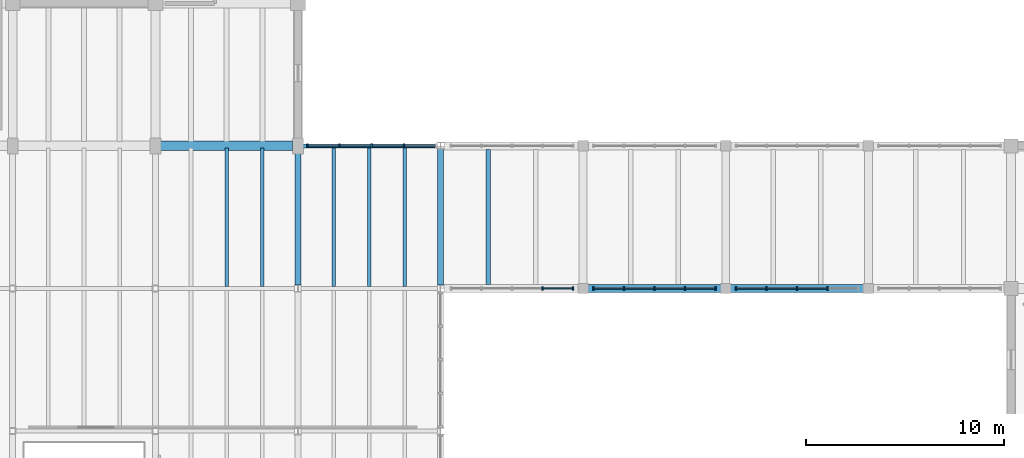
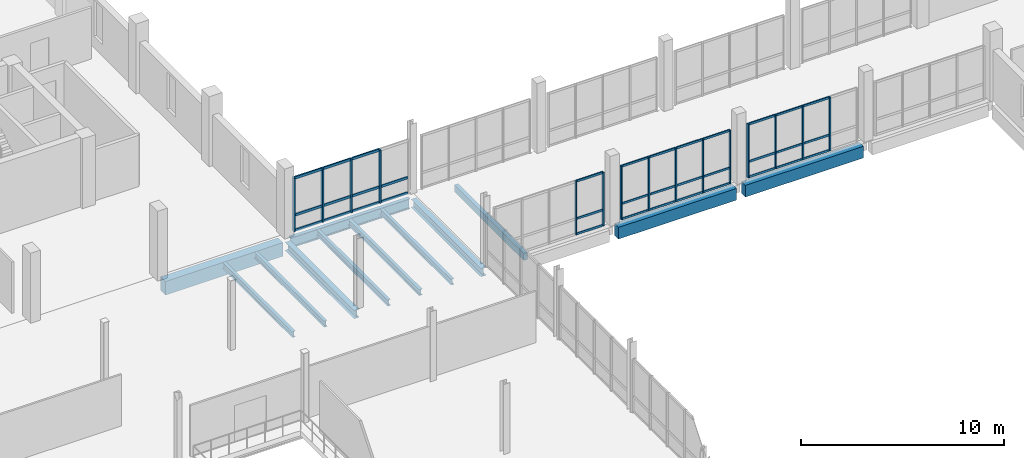
# One storey, part 34 of 72: 50 members, 12 beams, 4 elements without a shape of their own.
"""IFC4 building model written with IfcOpenShell, lengths in metres."""

import ifcopenshell
import ifcopenshell.guid

model = None  # the IFC model being written
_history = None  # IfcOwnerHistory: only IFC2X3 demands one
_inside = {}  # id of a spatial element -> (the spatial element, [elements in it])
_under = {}  # id of a project, library or spatial element -> (it, [spatial elements below it])
_declared = {}  # id of a project -> (the project, [libraries it declares])
_typed = {}  # id of a type object -> (the type object, [elements of that type])
_made_of = {}  # id of a material, layer set ... -> (it, [elements and type objects made of it])


def new_model(schema):
    """Start an empty IFC model of exactly this schema.

    Asked for "IFC4X3", IfcOpenShell would pick the latest addendum, in which some entities
    have other attributes; the version numbers below select the first issue.
    IFC2X3 requires an IfcOwnerHistory on every rooted entity: one is made here for all.
    """
    global model, _history
    if schema == "IFC4X3":
        model = ifcopenshell.file(schema_version=(4, 3, 0, 0))
    else:
        model = ifcopenshell.file(schema=schema)
    _inside.clear()
    _under.clear()
    _declared.clear()
    _typed.clear()
    _made_of.clear()
    _history = None
    if model.schema == "IFC2X3":
        org = make("IfcOrganization", Name="unknown")
        user = make(
            "IfcPersonAndOrganization",
            ThePerson=make("IfcPerson", FamilyName="unknown"),
            TheOrganization=org,
        )
        app = make(
            "IfcApplication",
            ApplicationDeveloper=org,
            Version="unknown",
            ApplicationFullName="unknown",
            ApplicationIdentifier="unknown",
        )
        _history = make(
            "IfcOwnerHistory",
            OwningUser=user,
            OwningApplication=app,
            ChangeAction="ADDED",
            CreationDate=0,
        )
    return model


def make(cls, **values):
    """One entity of the class cls with the attributes given. An attribute that is None is left unset."""
    return model.create_entity(
        cls, **{name: value for name, value in values.items() if value is not None}
    )


def rooted(cls, **values):
    """An entity with a GlobalId (a new one), such as an element, a storey or a relation."""
    return make(cls, GlobalId=ifcopenshell.guid.new(), OwnerHistory=_history, **values)


def si_unit(unit_type, name, prefix=None):
    """IfcSIUnit, for example si_unit("LENGTHUNIT", "METRE", prefix="MILLI")."""
    return make("IfcSIUnit", UnitType=unit_type, Prefix=prefix, Name=name)


def assignment(units):
    """IfcUnitAssignment: the units of a project."""
    return None if units is None else make("IfcUnitAssignment", Units=units)


def point(xyz):
    """IfcCartesianPoint."""
    return None if xyz is None else make("IfcCartesianPoint", Coordinates=xyz)


def direction(xyz):
    """IfcDirection."""
    return None if xyz is None else make("IfcDirection", DirectionRatios=xyz)


def frame(location, z_axis=None, x_axis=None):
    """IfcAxis2Placement3D, a coordinate frame: its origin and axes. An axis left out is left unset."""
    return make(
        "IfcAxis2Placement3D",
        Location=point(location),
        Axis=direction(z_axis),
        RefDirection=direction(x_axis),
    )


def frame_2d(location, x_axis=None):
    """IfcAxis2Placement2D, a coordinate frame in the plane: its origin and x axis."""
    return make(
        "IfcAxis2Placement2D", Location=point(location), RefDirection=direction(x_axis)
    )


def origin():
    """The frame at (0, 0, 0) with its axes left unset."""
    return frame((0.0, 0.0, 0.0))


def origin_2d():
    """The frame at (0, 0) in the plane with its x axis left unset."""
    return frame_2d((0.0, 0.0))


def place(relative_to, where):
    """IfcLocalPlacement: puts the frame where relative to a parent placement (None: the world)."""
    return make(
        "IfcLocalPlacement", PlacementRelTo=relative_to, RelativePlacement=where
    )


def context(
    kind, dimensions, precision=None, world=None, true_north=None, identifier=None
):
    """IfcGeometricRepresentationContext, for example the 3D "Model" context."""
    return make(
        "IfcGeometricRepresentationContext",
        ContextIdentifier=identifier,
        ContextType=kind,
        CoordinateSpaceDimension=dimensions,
        Precision=precision,
        WorldCoordinateSystem=world,
        TrueNorth=true_north,
    )


def subcontext(parent, identifier, kind, view, scale=None):
    """IfcGeometricRepresentationSubContext, for example "Body" below "Model"."""
    return make(
        "IfcGeometricRepresentationSubContext",
        ContextIdentifier=identifier,
        ContextType=kind,
        ParentContext=parent,
        TargetScale=scale,
        TargetView=view,
    )


def project(units=None, contexts=None):
    """IfcProject with its units and contexts."""
    return rooted(
        "IfcProject",
        Name="project",
        RepresentationContexts=contexts,
        UnitsInContext=assignment(units),
    )


def spatial(cls, under=None, at=None, **own):
    """A site, building, storey or space (cls), placed at a placement, below another one or the project."""
    s = rooted(cls, ObjectPlacement=at, **own)
    if under is not None:
        _under.setdefault(under.id(), (under, []))[1].append(s)
    return s


def profile(cls, at=None, kind="AREA", **sizes):
    """A parametric profile (cls). Its sizes go by their IFC names, for example OverallWidth=200.0."""
    return make(cls, ProfileType=kind, Position=at, **sizes)


def rectangle(**sizes):
    """IfcRectangleProfileDef."""
    return profile("IfcRectangleProfileDef", **sizes)


def i_section(**sizes):
    """IfcIShapeProfileDef."""
    return profile("IfcIShapeProfileDef", **sizes)


def extrude(swept, where, along, depth):
    """IfcExtrudedAreaSolid: the profile swept, set in the frame where, extruded along a direction by depth."""
    return make(
        "IfcExtrudedAreaSolid",
        SweptArea=swept,
        Position=where,
        ExtrudedDirection=direction(along),
        Depth=depth,
    )


def shape(context_of_items, identifier, shape_type, items):
    """IfcShapeRepresentation: the items that make up one representation, for example the "Body"."""
    return make(
        "IfcShapeRepresentation",
        ContextOfItems=context_of_items,
        RepresentationIdentifier=identifier,
        RepresentationType=shape_type,
        Items=items,
    )


def material(Name=None, Category=None):
    """IfcMaterial."""
    return make("IfcMaterial", Name=Name, Category=Category)


def material_profile(
    of_material, cross_section, Name=None, Category=None, Priority=None
):
    """IfcMaterialProfile: a cross section and its material."""
    return make(
        "IfcMaterialProfile",
        Name=Name,
        Material=of_material,
        Profile=cross_section,
        Priority=Priority,
        Category=Category,
    )


def profile_set(profiles, Name=None, composite=None):
    """IfcMaterialProfileSet."""
    return make(
        "IfcMaterialProfileSet",
        Name=Name,
        MaterialProfiles=profiles,
        CompositeProfile=composite,
    )


def made_of(thing, what):
    """Note that an element or type object is made of a material, layer set ...; save() writes the relation."""
    if what is not None:
        _made_of.setdefault(what.id(), (what, []))[1].append(thing)
    return thing


def type_object(cls, material=None, **own):
    """A type object (cls), such as IfcWallType, which elements share."""
    return made_of(rooted(cls, **own), material)


def element(
    cls,
    number,
    at=None,
    inside=None,
    cuts=None,
    type_object=None,
    material=None,
    context=None,
    identifier="Body",
    shape_type=None,
    held_by="IfcProductDefinitionShape",
    body=None,
    shapes=None,
    **own,
):
    """One element of the class cls, such as IfcWall. Its Tag is "e" and its number.

    at: its placement. inside: the storey or other place that contains it. cuts: it is an
    opening in that element (IfcRelVoidsElement). A single representation is given by context,
    identifier, shape_type and body (its items); several are given by shapes. held_by: the class
    of the entity that holds the representations. save() writes the other relations.
    """
    e = rooted(cls, Tag="e%d" % number, ObjectPlacement=at, **own)
    if body is not None:
        shapes = [shape(context, identifier, shape_type, body)]
    if shapes is not None:
        e.Representation = make(held_by, Representations=shapes)
    if inside is not None:
        _inside.setdefault(inside.id(), (inside, []))[1].append(e)
    if cuts is not None:
        rooted(
            "IfcRelVoidsElement", RelatingBuildingElement=cuts, RelatedOpeningElement=e
        )
    if type_object is not None:
        _typed.setdefault(type_object.id(), (type_object, []))[1].append(e)
    return made_of(e, material)


def aggregate(whole, parts):
    """IfcRelAggregates: a whole, such as a stair, and the parts it consists of."""
    return rooted("IfcRelAggregates", RelatingObject=whole, RelatedObjects=parts)


def save(model, path):
    """Write the relations noted so far, then the file.

    IfcRelAggregates (storeys below a building ...), IfcRelContainedInSpatialStructure (elements
    in a storey), IfcRelDefinesByType, IfcRelAssociatesMaterial and IfcRelDeclares: one each for
    every whole, place, type object, material and project.
    """
    for whole, parts in _under.values():
        aggregate(whole, parts)
    for where, things in _inside.values():
        rooted(
            "IfcRelContainedInSpatialStructure",
            RelatedElements=things,
            RelatingStructure=where,
        )
    for kind, things in _typed.values():
        rooted("IfcRelDefinesByType", RelatedObjects=things, RelatingType=kind)
    for what, things in _made_of.values():
        rooted("IfcRelAssociatesMaterial", RelatedObjects=things, RelatingMaterial=what)
    for by, libraries in _declared.values():
        rooted("IfcRelDeclares", RelatingContext=by, RelatedDefinitions=libraries)
    model.write(path)


model = new_model("IFC4")

# Units and contexts
model_context = context("Model", 3, precision=1e-05, world=origin(), true_north=direction((0.0, 1.0)))
body_context = subcontext(model_context, "Body", "Model", "MODEL_VIEW")
ifc_project = project(units=[si_unit("LENGTHUNIT", "METRE"), si_unit("AREAUNIT", "SQUARE_METRE"), si_unit("VOLUMEUNIT", "CUBIC_METRE"), si_unit("PLANEANGLEUNIT", "RADIAN"), si_unit("MASSUNIT", "GRAM", prefix="KILO")], contexts=[model_context])

# Site, building, storey
site_placement = place(None, origin())
site = spatial("IfcSite", under=ifc_project, at=site_placement, CompositionType="ELEMENT")
building_placement = place(site_placement, origin())
building = spatial("IfcBuilding", under=site, at=building_placement, Name="Qiaolan Assembly House", CompositionType="ELEMENT")
storey_placement = place(building_placement, frame((0.0, 0.0, 10.199951171875)))
storey = spatial("IfcBuildingStorey", under=building, at=storey_placement, Name="L02", CompositionType="ELEMENT", Elevation=10.199951171875)

# Beams
ifc_material_1 = material(Name="Concrete C40/50", Category="concrete")
ifc_material_profile_1 = material_profile(ifc_material_1, rectangle(XDim=0.39990234375, YDim=0.699951171875, at=origin_2d()), Name="RCB 400x700")
ifc_profile_set_1 = profile_set([ifc_material_profile_1], Name="Concrete C40/50")
beam_type_1 = type_object("IfcBeamType", Name="BM-RC-400x700", PredefinedType="BEAM", material=ifc_profile_set_1)
beam_1_placement = place(storey_placement, frame((115.449951171875, 79.199951171875, -0.619873046875), z_axis=(1.0, 0.0, 0.0), x_axis=(0.0, 1.0, 0.0)))
element("IfcBeam", 1, at=beam_1_placement, inside=storey, type_object=beam_type_1, Name="GB-05 beam BMX-CLN-L02-01-00", PredefinedType="BEAM", context=body_context, shape_type="SweptSolid", body=[
    extrude(rectangle(XDim=0.39990234375, YDim=0.699951171875, at=origin_2d()), origin(), (0.0, 0.0, 1.0), 6.699951171875),
])
beam_2_placement = place(storey_placement, frame((122.64990234375, 79.199951171875, -0.619873046875), z_axis=(1.0, 0.0, 0.0), x_axis=(0.0, 1.0, 0.0)))
element("IfcBeam", 2, at=beam_2_placement, inside=storey, type_object=beam_type_1, Name="GB-05 beam BMX-CLN-L02-02-00", PredefinedType="BEAM", context=body_context, shape_type="SweptSolid", body=[
    extrude(rectangle(XDim=0.39990234375, YDim=0.699951171875, at=origin_2d()), origin(), (0.0, 0.0, 1.0), 6.7001953125),
])
ifc_material_2 = material(Name="Concrete C45/55", Category="concrete")
ifc_material_profile_2 = material_profile(ifc_material_2, rectangle(XDim=0.47998046875, YDim=0.820068359375, at=origin_2d()), Name="RCB 480x820")
ifc_profile_set_2 = profile_set([ifc_material_profile_2], Name="Concrete C45/55")
beam_type_2 = type_object("IfcBeamType", Name="BM-RC-480x820", PredefinedType="BEAM", material=ifc_profile_set_2)
beam_3_placement = place(storey_placement, frame((93.864990234375, 86.39990234375, -0.7099609375), z_axis=(1.0, 0.0, 0.0), x_axis=(0.0, 1.0, 0.0)))
element("IfcBeam", 3, at=beam_3_placement, inside=storey, type_object=beam_type_2, Name="GB-14 beam BMX-NW-L02-08-00", PredefinedType="BEAM", context=body_context, shape_type="SweptSolid", body=[
    extrude(rectangle(XDim=0.47998046875, YDim=0.820068359375, at=origin_2d()), origin(), (0.0, 0.0, 1.0), 6.669921875),
])
ifc_material_3 = material(Name="Steel Q355B", Category="steel")
ifc_material_profile_3 = material_profile(ifc_material_3, i_section(OverallWidth=0.300048828125, OverallDepth=0.5, WebThickness=0.010986328125, FlangeThickness=0.01806640625, FilletRadius=0.02001953125, at=origin_2d()), Name="HM 500x300x11x18")
ifc_profile_set_3 = profile_set([ifc_material_profile_3], Name="Steel Q355B")
beam_type_3 = type_object("IfcBeamType", Name="BM-STL-HM500", PredefinedType="BEAM", material=ifc_profile_set_3)
beam_4_placement = place(storey_placement, frame((100.800048828125, 79.364990234375, -0.550048828125), z_axis=(0.0, 1.0, 0.0), x_axis=(-1.0, 0.0, 0.0)))
element("IfcBeam", 4, at=beam_4_placement, inside=storey, type_object=beam_type_3, Name="SB-15 beam BMY-HL-L02-11-06", PredefinedType="BEAM", context=body_context, shape_type="SweptSolid", body=[
    extrude(i_section(OverallWidth=0.300048828125, OverallDepth=0.5, WebThickness=0.010986328125, FlangeThickness=0.01806640625, FilletRadius=0.02001953125, at=origin_2d()), origin(), (0.0, 0.0, 1.0), 6.77001953125),
])
beam_5_placement = place(storey_placement, frame((108.0, 79.364990234375, -0.550048828125), z_axis=(0.0, 1.0, 0.0), x_axis=(-1.0, 0.0, 0.0)))
element("IfcBeam", 5, at=beam_5_placement, inside=storey, type_object=beam_type_3, Name="SB-15 beam BMY-HL-L02-12-06", PredefinedType="BEAM", context=body_context, shape_type="SweptSolid", body=[
    extrude(i_section(OverallWidth=0.300048828125, OverallDepth=0.5, WebThickness=0.010986328125, FlangeThickness=0.01806640625, FilletRadius=0.02001953125, at=origin_2d()), origin(), (0.0, 0.0, 1.0), 6.8701171875),
])
ifc_material_profile_4 = material_profile(ifc_material_3, i_section(OverallWidth=0.2099609375, OverallDepth=0.610107421875, WebThickness=0.010986328125, FlangeThickness=0.01806640625, FilletRadius=0.02001953125, at=origin_2d()), Name="HN 610x210x11x18")
ifc_profile_set_4 = profile_set([ifc_material_profile_4], Name="Steel Q355B")
beam_type_4 = type_object("IfcBeamType", Name="BM-STL-HN610", PredefinedType="BEAM", material=ifc_profile_set_4)
beam_6_placement = place(storey_placement, frame((101.06494140625, 86.39990234375, -0.60498046875), z_axis=(1.0, 0.0, 0.0), x_axis=(0.0, 1.0, 0.0)))
element("IfcBeam", 6, at=beam_6_placement, inside=storey, type_object=beam_type_4, Name="SB-11 beam BMX-HL-L02-11-07", PredefinedType="BEAM", context=body_context, shape_type="SweptSolid", body=[
    extrude(i_section(OverallWidth=0.2099609375, OverallDepth=0.610107421875, WebThickness=0.010986328125, FlangeThickness=0.01806640625, FilletRadius=0.02001953125, at=origin_2d()), origin(), (0.0, 0.0, 1.0), 6.77001953125),
])

# Curtain wall, members
ifc_material_4 = material(Name="Anodised bronze aluminium", Category="aluminium")
curtain_wall_type_1 = type_object("IfcCurtainWallType", Name="CW-CLOISTER-420", PredefinedType="NOTDEFINED", material=ifc_material_4)
curtain_wall_1_placement = place(storey_placement, origin())
curtain_wall_1 = element("IfcCurtainWall", 7, at=curtain_wall_1_placement, inside=storey, type_object=curtain_wall_type_1, Name="CW-05 North Cloister court arcade L02-1", PredefinedType="NOTDEFINED")
ifc_material_profile_5 = material_profile(ifc_material_4, rectangle(XDim=0.070068359375, YDim=0.155029296875, at=origin_2d()), Name="MUL 70x155")
ifc_profile_set_5 = profile_set([ifc_material_profile_5], Name="Anodised bronze aluminium")
member_type_1 = type_object("IfcMemberType", Name="CW-CLOISTER-420-MUL", PredefinedType="MULLION", material=ifc_profile_set_5)
member_1_placement = place(storey_placement, frame((113.139892578125, 79.199951171875, 0.0), z_axis=(0.0, 0.0, 1.0), x_axis=(1.0, 0.0, 0.0)))
member_1 = element("IfcMember", 8, at=member_1_placement, type_object=member_type_1, Name="ML-06 mullion CW-CLN-CRT-L02-0-4", PredefinedType="MULLION", context=body_context, shape_type="SweptSolid", body=[
    extrude(rectangle(XDim=0.070068359375, YDim=0.155029296875, at=origin_2d()), origin(), (0.0, 0.0, 1.0), 3.219970703125),
])
member_2_placement = place(storey_placement, frame((114.679931640625, 79.199951171875, 0.0), z_axis=(0.0, 0.0, 1.0), x_axis=(1.0, 0.0, 0.0)))
member_2 = element("IfcMember", 9, at=member_2_placement, type_object=member_type_1, Name="ML-06 mullion CW-CLN-CRT-L02-0-5", PredefinedType="MULLION", context=body_context, shape_type="SweptSolid", body=[
    extrude(rectangle(XDim=0.070068359375, YDim=0.155029296875, at=origin_2d()), origin(), (0.0, 0.0, 1.0), 3.219970703125),
])

curtain_wall_2_placement = place(storey_placement, origin())
curtain_wall_2 = element("IfcCurtainWall", 10, at=curtain_wall_2_placement, inside=storey, type_object=curtain_wall_type_1, Name="CW-05 North Cloister court arcade L02-2", PredefinedType="NOTDEFINED")
member_3_placement = place(storey_placement, frame((115.719970703125, 79.199951171875, 0.0), z_axis=(0.0, 0.0, 1.0), x_axis=(1.0, 0.0, 0.0)))
member_3 = element("IfcMember", 11, at=member_3_placement, type_object=member_type_1, Name="ML-06 mullion CW-CLN-CRT-L02-1-1", PredefinedType="MULLION", context=body_context, shape_type="SweptSolid", body=[
    extrude(rectangle(XDim=0.070068359375, YDim=0.155029296875, at=origin_2d()), origin(), (0.0, 0.0, 1.0), 3.219970703125),
])
member_4_placement = place(storey_placement, frame((117.260009765625, 79.199951171875, 0.0), z_axis=(0.0, 0.0, 1.0), x_axis=(1.0, 0.0, 0.0)))
member_4 = element("IfcMember", 12, at=member_4_placement, type_object=member_type_1, Name="ML-06 mullion CW-CLN-CRT-L02-1-2", PredefinedType="MULLION", context=body_context, shape_type="SweptSolid", body=[
    extrude(rectangle(XDim=0.070068359375, YDim=0.155029296875, at=origin_2d()), origin(), (0.0, 0.0, 1.0), 3.219970703125),
])
member_5_placement = place(storey_placement, frame((118.800048828125, 79.199951171875, 0.0), z_axis=(0.0, 0.0, 1.0), x_axis=(1.0, 0.0, 0.0)))
member_5 = element("IfcMember", 13, at=member_5_placement, type_object=member_type_1, Name="ML-06 mullion CW-CLN-CRT-L02-1-3", PredefinedType="MULLION", context=body_context, shape_type="SweptSolid", body=[
    extrude(rectangle(XDim=0.070068359375, YDim=0.155029296875, at=origin_2d()), origin(), (0.0, 0.0, 1.0), 3.219970703125),
])
member_6_placement = place(storey_placement, frame((120.340087890625, 79.199951171875, 0.0), z_axis=(0.0, 0.0, 1.0), x_axis=(1.0, 0.0, 0.0)))
member_6 = element("IfcMember", 14, at=member_6_placement, type_object=member_type_1, Name="ML-06 mullion CW-CLN-CRT-L02-1-4", PredefinedType="MULLION", context=body_context, shape_type="SweptSolid", body=[
    extrude(rectangle(XDim=0.070068359375, YDim=0.155029296875, at=origin_2d()), origin(), (0.0, 0.0, 1.0), 3.219970703125),
])
member_7_placement = place(storey_placement, frame((121.8798828125, 79.199951171875, 0.0), z_axis=(0.0, 0.0, 1.0), x_axis=(1.0, 0.0, 0.0)))
member_7 = element("IfcMember", 15, at=member_7_placement, type_object=member_type_1, Name="ML-06 mullion CW-CLN-CRT-L02-1-5", PredefinedType="MULLION", context=body_context, shape_type="SweptSolid", body=[
    extrude(rectangle(XDim=0.070068359375, YDim=0.155029296875, at=origin_2d()), origin(), (0.0, 0.0, 1.0), 3.219970703125),
])

curtain_wall_3_placement = place(storey_placement, origin())
curtain_wall_3 = element("IfcCurtainWall", 16, at=curtain_wall_3_placement, inside=storey, type_object=curtain_wall_type_1, Name="CW-05 North Cloister court arcade L02-3", PredefinedType="NOTDEFINED")
member_8_placement = place(storey_placement, frame((122.919921875, 79.199951171875, 0.0), z_axis=(0.0, 0.0, 1.0), x_axis=(1.0, 0.0, 0.0)))
member_8 = element("IfcMember", 17, at=member_8_placement, type_object=member_type_1, Name="ML-06 mullion CW-CLN-CRT-L02-2-1", PredefinedType="MULLION", context=body_context, shape_type="SweptSolid", body=[
    extrude(rectangle(XDim=0.070068359375, YDim=0.155029296875, at=origin_2d()), origin(), (0.0, 0.0, 1.0), 3.219970703125),
])
member_9_placement = place(storey_placement, frame((124.4599609375, 79.199951171875, 0.0), z_axis=(0.0, 0.0, 1.0), x_axis=(1.0, 0.0, 0.0)))
member_9 = element("IfcMember", 18, at=member_9_placement, type_object=member_type_1, Name="ML-06 mullion CW-CLN-CRT-L02-2-2", PredefinedType="MULLION", context=body_context, shape_type="SweptSolid", body=[
    extrude(rectangle(XDim=0.070068359375, YDim=0.155029296875, at=origin_2d()), origin(), (0.0, 0.0, 1.0), 3.219970703125),
])
member_10_placement = place(storey_placement, frame((126.0, 79.199951171875, 0.0), z_axis=(0.0, 0.0, 1.0), x_axis=(1.0, 0.0, 0.0)))
member_10 = element("IfcMember", 19, at=member_10_placement, type_object=member_type_1, Name="ML-06 mullion CW-CLN-CRT-L02-2-3", PredefinedType="MULLION", context=body_context, shape_type="SweptSolid", body=[
    extrude(rectangle(XDim=0.070068359375, YDim=0.155029296875, at=origin_2d()), origin(), (0.0, 0.0, 1.0), 3.219970703125),
])
member_11_placement = place(storey_placement, frame((127.5400390625, 79.199951171875, 0.0), z_axis=(0.0, 0.0, 1.0), x_axis=(1.0, 0.0, 0.0)))
member_11 = element("IfcMember", 20, at=member_11_placement, type_object=member_type_1, Name="ML-06 mullion CW-CLN-CRT-L02-2-4", PredefinedType="MULLION", context=body_context, shape_type="SweptSolid", body=[
    extrude(rectangle(XDim=0.070068359375, YDim=0.155029296875, at=origin_2d()), origin(), (0.0, 0.0, 1.0), 3.219970703125),
])

# Member
ifc_material_profile_6 = material_profile(ifc_material_4, rectangle(XDim=0.06201171875, YDim=0.125, at=origin_2d()), Name="TRN 62x125")
ifc_profile_set_6 = profile_set([ifc_material_profile_6], Name="Anodised bronze aluminium")
member_type_2 = type_object("IfcMemberType", Name="CW-CLOISTER-420-TRN", PredefinedType="USERDEFINED", material=ifc_profile_set_6)
member_12_placement = place(storey_placement, frame((113.175048828125, 79.199951171875, 0.030029296875), z_axis=(1.0, 0.0, 0.0), x_axis=(0.0, 1.0, 0.0)))
member_12 = element("IfcMember", 21, at=member_12_placement, type_object=member_type_2, Name="TR-06 transom CW-CLN-CRT-L02-0-4-1", ObjectType="TRANSOM", PredefinedType="USERDEFINED", context=body_context, shape_type="SweptSolid", body=[
    extrude(rectangle(XDim=0.06201171875, YDim=0.125, at=origin_2d()), origin(), (0.0, 0.0, 1.0), 1.469970703125),
])

member_13_placement = place(storey_placement, frame((113.175048828125, 79.199951171875, 0.949951171875), z_axis=(1.0, 0.0, 0.0), x_axis=(0.0, 1.0, 0.0)))
member_13 = element("IfcMember", 22, at=member_13_placement, type_object=member_type_2, Name="TR-06 transom CW-CLN-CRT-L02-0-4-2", ObjectType="TRANSOM", PredefinedType="USERDEFINED", context=body_context, shape_type="SweptSolid", body=[
    extrude(rectangle(XDim=0.06201171875, YDim=0.125, at=origin_2d()), origin(), (0.0, 0.0, 1.0), 1.469970703125),
])

member_14_placement = place(storey_placement, frame((113.175048828125, 79.199951171875, 3.18994140625), z_axis=(1.0, 0.0, 0.0), x_axis=(0.0, 1.0, 0.0)))
member_14 = element("IfcMember", 23, at=member_14_placement, type_object=member_type_2, Name="TR-06 transom CW-CLN-CRT-L02-0-4-3", ObjectType="TRANSOM", PredefinedType="USERDEFINED", context=body_context, shape_type="SweptSolid", body=[
    extrude(rectangle(XDim=0.06201171875, YDim=0.125, at=origin_2d()), origin(), (0.0, 0.0, 1.0), 1.469970703125),
])

aggregate(curtain_wall_1, [member_1, member_2, member_12, member_13, member_14])

member_15_placement = place(storey_placement, frame((115.7548828125, 79.199951171875, 0.030029296875), z_axis=(1.0, 0.0, 0.0), x_axis=(0.0, 1.0, 0.0)))
member_15 = element("IfcMember", 24, at=member_15_placement, type_object=member_type_2, Name="TR-06 transom CW-CLN-CRT-L02-1-1-1", ObjectType="TRANSOM", PredefinedType="USERDEFINED", context=body_context, shape_type="SweptSolid", body=[
    extrude(rectangle(XDim=0.06201171875, YDim=0.125, at=origin_2d()), origin(), (0.0, 0.0, 1.0), 1.47021484375),
])

member_16_placement = place(storey_placement, frame((115.7548828125, 79.199951171875, 0.949951171875), z_axis=(1.0, 0.0, 0.0), x_axis=(0.0, 1.0, 0.0)))
member_16 = element("IfcMember", 25, at=member_16_placement, type_object=member_type_2, Name="TR-06 transom CW-CLN-CRT-L02-1-1-2", ObjectType="TRANSOM", PredefinedType="USERDEFINED", context=body_context, shape_type="SweptSolid", body=[
    extrude(rectangle(XDim=0.06201171875, YDim=0.125, at=origin_2d()), origin(), (0.0, 0.0, 1.0), 1.47021484375),
])

member_17_placement = place(storey_placement, frame((115.7548828125, 79.199951171875, 3.18994140625), z_axis=(1.0, 0.0, 0.0), x_axis=(0.0, 1.0, 0.0)))
member_17 = element("IfcMember", 26, at=member_17_placement, type_object=member_type_2, Name="TR-06 transom CW-CLN-CRT-L02-1-1-3", ObjectType="TRANSOM", PredefinedType="USERDEFINED", context=body_context, shape_type="SweptSolid", body=[
    extrude(rectangle(XDim=0.06201171875, YDim=0.125, at=origin_2d()), origin(), (0.0, 0.0, 1.0), 1.47021484375),
])

member_18_placement = place(storey_placement, frame((117.294921875, 79.199951171875, 0.030029296875), z_axis=(1.0, 0.0, 0.0), x_axis=(0.0, 1.0, 0.0)))
member_18 = element("IfcMember", 27, at=member_18_placement, type_object=member_type_2, Name="TR-06 transom CW-CLN-CRT-L02-1-2-1", ObjectType="TRANSOM", PredefinedType="USERDEFINED", context=body_context, shape_type="SweptSolid", body=[
    extrude(rectangle(XDim=0.06201171875, YDim=0.125, at=origin_2d()), origin(), (0.0, 0.0, 1.0), 1.469970703125),
])

member_19_placement = place(storey_placement, frame((117.294921875, 79.199951171875, 0.949951171875), z_axis=(1.0, 0.0, 0.0), x_axis=(0.0, 1.0, 0.0)))
member_19 = element("IfcMember", 28, at=member_19_placement, type_object=member_type_2, Name="TR-06 transom CW-CLN-CRT-L02-1-2-2", ObjectType="TRANSOM", PredefinedType="USERDEFINED", context=body_context, shape_type="SweptSolid", body=[
    extrude(rectangle(XDim=0.06201171875, YDim=0.125, at=origin_2d()), origin(), (0.0, 0.0, 1.0), 1.469970703125),
])

member_20_placement = place(storey_placement, frame((117.294921875, 79.199951171875, 3.18994140625), z_axis=(1.0, 0.0, 0.0), x_axis=(0.0, 1.0, 0.0)))
member_20 = element("IfcMember", 29, at=member_20_placement, type_object=member_type_2, Name="TR-06 transom CW-CLN-CRT-L02-1-2-3", ObjectType="TRANSOM", PredefinedType="USERDEFINED", context=body_context, shape_type="SweptSolid", body=[
    extrude(rectangle(XDim=0.06201171875, YDim=0.125, at=origin_2d()), origin(), (0.0, 0.0, 1.0), 1.469970703125),
])

member_21_placement = place(storey_placement, frame((118.8349609375, 79.199951171875, 0.030029296875), z_axis=(1.0, 0.0, 0.0), x_axis=(0.0, 1.0, 0.0)))
member_21 = element("IfcMember", 30, at=member_21_placement, type_object=member_type_2, Name="TR-06 transom CW-CLN-CRT-L02-1-3-1", ObjectType="TRANSOM", PredefinedType="USERDEFINED", context=body_context, shape_type="SweptSolid", body=[
    extrude(rectangle(XDim=0.06201171875, YDim=0.125, at=origin_2d()), origin(), (0.0, 0.0, 1.0), 1.469970703125),
])

member_22_placement = place(storey_placement, frame((118.8349609375, 79.199951171875, 0.949951171875), z_axis=(1.0, 0.0, 0.0), x_axis=(0.0, 1.0, 0.0)))
member_22 = element("IfcMember", 31, at=member_22_placement, type_object=member_type_2, Name="TR-06 transom CW-CLN-CRT-L02-1-3-2", ObjectType="TRANSOM", PredefinedType="USERDEFINED", context=body_context, shape_type="SweptSolid", body=[
    extrude(rectangle(XDim=0.06201171875, YDim=0.125, at=origin_2d()), origin(), (0.0, 0.0, 1.0), 1.469970703125),
])

member_23_placement = place(storey_placement, frame((118.8349609375, 79.199951171875, 3.18994140625), z_axis=(1.0, 0.0, 0.0), x_axis=(0.0, 1.0, 0.0)))
member_23 = element("IfcMember", 32, at=member_23_placement, type_object=member_type_2, Name="TR-06 transom CW-CLN-CRT-L02-1-3-3", ObjectType="TRANSOM", PredefinedType="USERDEFINED", context=body_context, shape_type="SweptSolid", body=[
    extrude(rectangle(XDim=0.06201171875, YDim=0.125, at=origin_2d()), origin(), (0.0, 0.0, 1.0), 1.469970703125),
])

member_24_placement = place(storey_placement, frame((120.375, 79.199951171875, 0.030029296875), z_axis=(1.0, 0.0, 0.0), x_axis=(0.0, 1.0, 0.0)))
member_24 = element("IfcMember", 33, at=member_24_placement, type_object=member_type_2, Name="TR-06 transom CW-CLN-CRT-L02-1-4-1", ObjectType="TRANSOM", PredefinedType="USERDEFINED", context=body_context, shape_type="SweptSolid", body=[
    extrude(rectangle(XDim=0.06201171875, YDim=0.125, at=origin_2d()), origin(), (0.0, 0.0, 1.0), 1.469970703125),
])

member_25_placement = place(storey_placement, frame((120.375, 79.199951171875, 0.949951171875), z_axis=(1.0, 0.0, 0.0), x_axis=(0.0, 1.0, 0.0)))
member_25 = element("IfcMember", 34, at=member_25_placement, type_object=member_type_2, Name="TR-06 transom CW-CLN-CRT-L02-1-4-2", ObjectType="TRANSOM", PredefinedType="USERDEFINED", context=body_context, shape_type="SweptSolid", body=[
    extrude(rectangle(XDim=0.06201171875, YDim=0.125, at=origin_2d()), origin(), (0.0, 0.0, 1.0), 1.469970703125),
])

member_26_placement = place(storey_placement, frame((120.375, 79.199951171875, 3.18994140625), z_axis=(1.0, 0.0, 0.0), x_axis=(0.0, 1.0, 0.0)))
member_26 = element("IfcMember", 35, at=member_26_placement, type_object=member_type_2, Name="TR-06 transom CW-CLN-CRT-L02-1-4-3", ObjectType="TRANSOM", PredefinedType="USERDEFINED", context=body_context, shape_type="SweptSolid", body=[
    extrude(rectangle(XDim=0.06201171875, YDim=0.125, at=origin_2d()), origin(), (0.0, 0.0, 1.0), 1.469970703125),
])

aggregate(curtain_wall_2, [member_3, member_4, member_5, member_6, member_7, member_15, member_16, member_17, member_18, member_19, member_20, member_21, member_22, member_23, member_24, member_25, member_26])

member_27_placement = place(storey_placement, frame((122.955078125, 79.199951171875, 0.030029296875), z_axis=(1.0, 0.0, 0.0), x_axis=(0.0, 1.0, 0.0)))
member_27 = element("IfcMember", 36, at=member_27_placement, type_object=member_type_2, Name="TR-06 transom CW-CLN-CRT-L02-2-1-1", ObjectType="TRANSOM", PredefinedType="USERDEFINED", context=body_context, shape_type="SweptSolid", body=[
    extrude(rectangle(XDim=0.06201171875, YDim=0.125, at=origin_2d()), origin(), (0.0, 0.0, 1.0), 1.469970703125),
])

member_28_placement = place(storey_placement, frame((122.955078125, 79.199951171875, 0.949951171875), z_axis=(1.0, 0.0, 0.0), x_axis=(0.0, 1.0, 0.0)))
member_28 = element("IfcMember", 37, at=member_28_placement, type_object=member_type_2, Name="TR-06 transom CW-CLN-CRT-L02-2-1-2", ObjectType="TRANSOM", PredefinedType="USERDEFINED", context=body_context, shape_type="SweptSolid", body=[
    extrude(rectangle(XDim=0.06201171875, YDim=0.125, at=origin_2d()), origin(), (0.0, 0.0, 1.0), 1.469970703125),
])

member_29_placement = place(storey_placement, frame((122.955078125, 79.199951171875, 3.18994140625), z_axis=(1.0, 0.0, 0.0), x_axis=(0.0, 1.0, 0.0)))
member_29 = element("IfcMember", 38, at=member_29_placement, type_object=member_type_2, Name="TR-06 transom CW-CLN-CRT-L02-2-1-3", ObjectType="TRANSOM", PredefinedType="USERDEFINED", context=body_context, shape_type="SweptSolid", body=[
    extrude(rectangle(XDim=0.06201171875, YDim=0.125, at=origin_2d()), origin(), (0.0, 0.0, 1.0), 1.469970703125),
])

member_30_placement = place(storey_placement, frame((124.4951171875, 79.199951171875, 0.030029296875), z_axis=(1.0, 0.0, 0.0), x_axis=(0.0, 1.0, 0.0)))
member_30 = element("IfcMember", 39, at=member_30_placement, type_object=member_type_2, Name="TR-06 transom CW-CLN-CRT-L02-2-2-1", ObjectType="TRANSOM", PredefinedType="USERDEFINED", context=body_context, shape_type="SweptSolid", body=[
    extrude(rectangle(XDim=0.06201171875, YDim=0.125, at=origin_2d()), origin(), (0.0, 0.0, 1.0), 1.469970703125),
])

member_31_placement = place(storey_placement, frame((124.4951171875, 79.199951171875, 0.949951171875), z_axis=(1.0, 0.0, 0.0), x_axis=(0.0, 1.0, 0.0)))
member_31 = element("IfcMember", 40, at=member_31_placement, type_object=member_type_2, Name="TR-06 transom CW-CLN-CRT-L02-2-2-2", ObjectType="TRANSOM", PredefinedType="USERDEFINED", context=body_context, shape_type="SweptSolid", body=[
    extrude(rectangle(XDim=0.06201171875, YDim=0.125, at=origin_2d()), origin(), (0.0, 0.0, 1.0), 1.469970703125),
])

member_32_placement = place(storey_placement, frame((124.4951171875, 79.199951171875, 3.18994140625), z_axis=(1.0, 0.0, 0.0), x_axis=(0.0, 1.0, 0.0)))
member_32 = element("IfcMember", 41, at=member_32_placement, type_object=member_type_2, Name="TR-06 transom CW-CLN-CRT-L02-2-2-3", ObjectType="TRANSOM", PredefinedType="USERDEFINED", context=body_context, shape_type="SweptSolid", body=[
    extrude(rectangle(XDim=0.06201171875, YDim=0.125, at=origin_2d()), origin(), (0.0, 0.0, 1.0), 1.469970703125),
])

member_33_placement = place(storey_placement, frame((126.034912109375, 79.199951171875, 0.030029296875), z_axis=(1.0, 0.0, 0.0), x_axis=(0.0, 1.0, 0.0)))
member_33 = element("IfcMember", 42, at=member_33_placement, type_object=member_type_2, Name="TR-06 transom CW-CLN-CRT-L02-2-3-1", ObjectType="TRANSOM", PredefinedType="USERDEFINED", context=body_context, shape_type="SweptSolid", body=[
    extrude(rectangle(XDim=0.06201171875, YDim=0.125, at=origin_2d()), origin(), (0.0, 0.0, 1.0), 1.469970703125),
])

member_34_placement = place(storey_placement, frame((126.034912109375, 79.199951171875, 0.949951171875), z_axis=(1.0, 0.0, 0.0), x_axis=(0.0, 1.0, 0.0)))
member_34 = element("IfcMember", 43, at=member_34_placement, type_object=member_type_2, Name="TR-06 transom CW-CLN-CRT-L02-2-3-2", ObjectType="TRANSOM", PredefinedType="USERDEFINED", context=body_context, shape_type="SweptSolid", body=[
    extrude(rectangle(XDim=0.06201171875, YDim=0.125, at=origin_2d()), origin(), (0.0, 0.0, 1.0), 1.469970703125),
])

member_35_placement = place(storey_placement, frame((126.034912109375, 79.199951171875, 3.18994140625), z_axis=(1.0, 0.0, 0.0), x_axis=(0.0, 1.0, 0.0)))
member_35 = element("IfcMember", 44, at=member_35_placement, type_object=member_type_2, Name="TR-06 transom CW-CLN-CRT-L02-2-3-3", ObjectType="TRANSOM", PredefinedType="USERDEFINED", context=body_context, shape_type="SweptSolid", body=[
    extrude(rectangle(XDim=0.06201171875, YDim=0.125, at=origin_2d()), origin(), (0.0, 0.0, 1.0), 1.469970703125),
])

aggregate(curtain_wall_3, [member_8, member_9, member_10, member_11, member_27, member_28, member_29, member_30, member_31, member_32, member_33, member_34, member_35])

# Curtain wall, members
curtain_wall_type_2 = type_object("IfcCurtainWallType", Name="CW-HALL-UPPER-480", PredefinedType="NOTDEFINED", material=ifc_material_4)
curtain_wall_4_placement = place(storey_placement, origin())
curtain_wall_4 = element("IfcCurtainWall", 45, at=curtain_wall_4_placement, inside=storey, type_object=curtain_wall_type_2, Name="CW-02 Hall North-East link CW L02", PredefinedType="NOTDEFINED")
ifc_material_profile_7 = material_profile(ifc_material_4, rectangle(XDim=0.0859375, YDim=0.199951171875, at=origin_2d()), Name="MUL 86x200")
ifc_profile_set_7 = profile_set([ifc_material_profile_7], Name="Anodised bronze aluminium")
member_type_3 = type_object("IfcMemberType", Name="CW-HALL-UPPER-480-MUL", PredefinedType="MULLION", material=ifc_profile_set_7)
member_36_placement = place(storey_placement, frame((106.155029296875, 86.39990234375, 0.0), z_axis=(0.0, 0.0, 1.0), x_axis=(-1.0, 0.0, 0.0)))
member_36 = element("IfcMember", 46, at=member_36_placement, type_object=member_type_3, Name="ML-02 mullion CW-HALL-NEJ-L02-2", PredefinedType="MULLION", context=body_context, shape_type="SweptSolid", body=[
    extrude(rectangle(XDim=0.0859375, YDim=0.199951171875, at=origin_2d()), origin(), (0.0, 0.0, 1.0), 3.199951171875),
])
member_37_placement = place(storey_placement, frame((104.530029296875, 86.39990234375, 0.0), z_axis=(0.0, 0.0, 1.0), x_axis=(-1.0, 0.0, 0.0)))
member_37 = element("IfcMember", 47, at=member_37_placement, type_object=member_type_3, Name="ML-02 mullion CW-HALL-NEJ-L02-3", PredefinedType="MULLION", context=body_context, shape_type="SweptSolid", body=[
    extrude(rectangle(XDim=0.0859375, YDim=0.199951171875, at=origin_2d()), origin(), (0.0, 0.0, 1.0), 3.199951171875),
])
member_38_placement = place(storey_placement, frame((102.905029296875, 86.39990234375, 0.0), z_axis=(0.0, 0.0, 1.0), x_axis=(-1.0, 0.0, 0.0)))
member_38 = element("IfcMember", 48, at=member_38_placement, type_object=member_type_3, Name="ML-02 mullion CW-HALL-NEJ-L02-4", PredefinedType="MULLION", context=body_context, shape_type="SweptSolid", body=[
    extrude(rectangle(XDim=0.0859375, YDim=0.199951171875, at=origin_2d()), origin(), (0.0, 0.0, 1.0), 3.199951171875),
])
member_39_placement = place(storey_placement, frame((101.280029296875, 86.39990234375, 0.0), z_axis=(0.0, 0.0, 1.0), x_axis=(-1.0, 0.0, 0.0)))
member_39 = element("IfcMember", 49, at=member_39_placement, type_object=member_type_3, Name="ML-02 mullion CW-HALL-NEJ-L02-5", PredefinedType="MULLION", context=body_context, shape_type="SweptSolid", body=[
    extrude(rectangle(XDim=0.0859375, YDim=0.199951171875, at=origin_2d()), origin(), (0.0, 0.0, 1.0), 3.199951171875),
])
ifc_material_profile_8 = material_profile(ifc_material_4, rectangle(XDim=0.075927734375, YDim=0.14990234375, at=origin_2d()), Name="TRN 76x150")
ifc_profile_set_8 = profile_set([ifc_material_profile_8], Name="Anodised bronze aluminium")
member_type_4 = type_object("IfcMemberType", Name="CW-HALL-UPPER-480-TRN", PredefinedType="USERDEFINED", material=ifc_profile_set_8)
member_40_placement = place(storey_placement, frame((107.737060546875, 86.39990234375, 0.030029296875), z_axis=(-1.0, 0.0, 0.0), x_axis=(0.0, -1.0, 0.0)))
member_40 = element("IfcMember", 50, at=member_40_placement, type_object=member_type_4, Name="TR-02 transom CW-HALL-NEJ-L02-1-1", ObjectType="TRANSOM", PredefinedType="USERDEFINED", context=body_context, shape_type="SweptSolid", body=[
    extrude(rectangle(XDim=0.075927734375, YDim=0.14990234375, at=origin_2d()), origin(), (0.0, 0.0, 1.0), 1.5390625),
])
member_41_placement = place(storey_placement, frame((107.737060546875, 86.39990234375, 0.949951171875), z_axis=(-1.0, 0.0, 0.0), x_axis=(0.0, -1.0, 0.0)))
member_41 = element("IfcMember", 51, at=member_41_placement, type_object=member_type_4, Name="TR-02 transom CW-HALL-NEJ-L02-1-2", ObjectType="TRANSOM", PredefinedType="USERDEFINED", context=body_context, shape_type="SweptSolid", body=[
    extrude(rectangle(XDim=0.075927734375, YDim=0.14990234375, at=origin_2d()), origin(), (0.0, 0.0, 1.0), 1.5390625),
])
member_42_placement = place(storey_placement, frame((106.112060546875, 86.39990234375, 0.030029296875), z_axis=(-1.0, 0.0, 0.0), x_axis=(0.0, -1.0, 0.0)))
member_42 = element("IfcMember", 52, at=member_42_placement, type_object=member_type_4, Name="TR-02 transom CW-HALL-NEJ-L02-2-1", ObjectType="TRANSOM", PredefinedType="USERDEFINED", context=body_context, shape_type="SweptSolid", body=[
    extrude(rectangle(XDim=0.075927734375, YDim=0.14990234375, at=origin_2d()), origin(), (0.0, 0.0, 1.0), 1.5390625),
])
member_43_placement = place(storey_placement, frame((106.112060546875, 86.39990234375, 0.949951171875), z_axis=(-1.0, 0.0, 0.0), x_axis=(0.0, -1.0, 0.0)))
member_43 = element("IfcMember", 53, at=member_43_placement, type_object=member_type_4, Name="TR-02 transom CW-HALL-NEJ-L02-2-2", ObjectType="TRANSOM", PredefinedType="USERDEFINED", context=body_context, shape_type="SweptSolid", body=[
    extrude(rectangle(XDim=0.075927734375, YDim=0.14990234375, at=origin_2d()), origin(), (0.0, 0.0, 1.0), 1.5390625),
])
member_44_placement = place(storey_placement, frame((106.112060546875, 86.39990234375, 3.170166015625), z_axis=(-1.0, 0.0, 0.0), x_axis=(0.0, -1.0, 0.0)))
member_44 = element("IfcMember", 54, at=member_44_placement, type_object=member_type_4, Name="TR-02 transom CW-HALL-NEJ-L02-2-3", ObjectType="TRANSOM", PredefinedType="USERDEFINED", context=body_context, shape_type="SweptSolid", body=[
    extrude(rectangle(XDim=0.075927734375, YDim=0.14990234375, at=origin_2d()), origin(), (0.0, 0.0, 1.0), 1.5390625),
])
member_45_placement = place(storey_placement, frame((104.487060546875, 86.39990234375, 0.030029296875), z_axis=(-1.0, 0.0, 0.0), x_axis=(0.0, -1.0, 0.0)))
member_45 = element("IfcMember", 55, at=member_45_placement, type_object=member_type_4, Name="TR-02 transom CW-HALL-NEJ-L02-3-1", ObjectType="TRANSOM", PredefinedType="USERDEFINED", context=body_context, shape_type="SweptSolid", body=[
    extrude(rectangle(XDim=0.075927734375, YDim=0.14990234375, at=origin_2d()), origin(), (0.0, 0.0, 1.0), 1.5390625),
])
member_46_placement = place(storey_placement, frame((104.487060546875, 86.39990234375, 0.949951171875), z_axis=(-1.0, 0.0, 0.0), x_axis=(0.0, -1.0, 0.0)))
member_46 = element("IfcMember", 56, at=member_46_placement, type_object=member_type_4, Name="TR-02 transom CW-HALL-NEJ-L02-3-2", ObjectType="TRANSOM", PredefinedType="USERDEFINED", context=body_context, shape_type="SweptSolid", body=[
    extrude(rectangle(XDim=0.075927734375, YDim=0.14990234375, at=origin_2d()), origin(), (0.0, 0.0, 1.0), 1.5390625),
])
member_47_placement = place(storey_placement, frame((104.487060546875, 86.39990234375, 3.170166015625), z_axis=(-1.0, 0.0, 0.0), x_axis=(0.0, -1.0, 0.0)))
member_47 = element("IfcMember", 57, at=member_47_placement, type_object=member_type_4, Name="TR-02 transom CW-HALL-NEJ-L02-3-3", ObjectType="TRANSOM", PredefinedType="USERDEFINED", context=body_context, shape_type="SweptSolid", body=[
    extrude(rectangle(XDim=0.075927734375, YDim=0.14990234375, at=origin_2d()), origin(), (0.0, 0.0, 1.0), 1.5390625),
])
member_48_placement = place(storey_placement, frame((102.862060546875, 86.39990234375, 0.030029296875), z_axis=(-1.0, 0.0, 0.0), x_axis=(0.0, -1.0, 0.0)))
member_48 = element("IfcMember", 58, at=member_48_placement, type_object=member_type_4, Name="TR-02 transom CW-HALL-NEJ-L02-4-1", ObjectType="TRANSOM", PredefinedType="USERDEFINED", context=body_context, shape_type="SweptSolid", body=[
    extrude(rectangle(XDim=0.075927734375, YDim=0.14990234375, at=origin_2d()), origin(), (0.0, 0.0, 1.0), 1.5390625),
])
member_49_placement = place(storey_placement, frame((102.862060546875, 86.39990234375, 0.949951171875), z_axis=(-1.0, 0.0, 0.0), x_axis=(0.0, -1.0, 0.0)))
member_49 = element("IfcMember", 59, at=member_49_placement, type_object=member_type_4, Name="TR-02 transom CW-HALL-NEJ-L02-4-2", ObjectType="TRANSOM", PredefinedType="USERDEFINED", context=body_context, shape_type="SweptSolid", body=[
    extrude(rectangle(XDim=0.075927734375, YDim=0.14990234375, at=origin_2d()), origin(), (0.0, 0.0, 1.0), 1.5390625),
])
member_50_placement = place(storey_placement, frame((102.862060546875, 86.39990234375, 3.170166015625), z_axis=(-1.0, 0.0, 0.0), x_axis=(0.0, -1.0, 0.0)))
member_50 = element("IfcMember", 60, at=member_50_placement, type_object=member_type_4, Name="TR-02 transom CW-HALL-NEJ-L02-4-3", ObjectType="TRANSOM", PredefinedType="USERDEFINED", context=body_context, shape_type="SweptSolid", body=[
    extrude(rectangle(XDim=0.075927734375, YDim=0.14990234375, at=origin_2d()), origin(), (0.0, 0.0, 1.0), 1.5390625),
])
aggregate(curtain_wall_4, [member_36, member_37, member_38, member_39, member_40, member_41, member_42, member_43, member_44, member_45, member_46, member_47, member_48, member_49, member_50])

# Beams
ifc_material_profile_9 = material_profile(ifc_material_1, rectangle(XDim=0.219970703125, YDim=0.419921875, at=origin_2d()), Name="RCB 220x420")
ifc_profile_set_9 = profile_set([ifc_material_profile_9], Name="Concrete C40/50")
beam_type_5 = type_object("IfcBeamType", Name="JST-RC-220x420", PredefinedType="JOIST", material=ifc_profile_set_9)
beam_7_placement = place(storey_placement, frame((110.39990234375, 79.39404296875, -0.47998046875), z_axis=(0.0, 1.0, 0.0), x_axis=(-1.0, 0.0, 0.0)))
element("IfcBeam", 61, at=beam_7_placement, inside=storey, type_object=beam_type_5, Name="RJ-03 beam JST-CLN-L02-00-00-1", PredefinedType="JOIST", context=body_context, shape_type="SweptSolid", body=[
    extrude(rectangle(XDim=0.219970703125, YDim=0.419921875, at=origin_2d()), origin(), (0.0, 0.0, 1.0), 6.81201171875),
])
ifc_material_profile_10 = material_profile(ifc_material_3, i_section(OverallWidth=0.179931640625, OverallDepth=0.35498046875, WebThickness=0.007568359375, FlangeThickness=0.011474609375, FilletRadius=0.013916015625, at=origin_2d()), Name="HM 355x180x7.5x11.5")
ifc_profile_set_10 = profile_set([ifc_material_profile_10], Name="Steel Q355B")
beam_type_6 = type_object("IfcBeamType", Name="JST-STL-HM355", PredefinedType="JOIST", material=ifc_profile_set_10)
for number, where, z_axis, x_axis, name in (
    (62, (97.199951171875, 79.299072265625, -0.4775390625), (0.0, 1.0, 0.0), (-1.0, 0.0, 0.0), "SJ-04 beam JST-HL-L02-10-06-2"),
    (63, (99.0, 79.299072265625, -0.4775390625), (0.0, 1.0, 0.0), (-1.0, 0.0, 0.0), "SJ-04 beam JST-HL-L02-10-06-3"),
    (64, (102.60009765625, 79.299072265625, -0.4775390625), (0.0, 1.0, 0.0), (-1.0, 0.0, 0.0), "SJ-04 beam JST-HL-L02-11-06-1"),
    (65, (104.39990234375, 79.299072265625, -0.4775390625), (0.0, 1.0, 0.0), (-1.0, 0.0, 0.0), "SJ-04 beam JST-HL-L02-11-06-2"),
    (66, (106.199951171875, 79.299072265625, -0.4775390625), (0.0, 1.0, 0.0), (-1.0, 0.0, 0.0), "SJ-04 beam JST-HL-L02-11-06-3"),
):
    element("IfcBeam", number, at=place(storey_placement, frame(where, z_axis=z_axis, x_axis=x_axis)), inside=storey, type_object=beam_type_6, Name=name, PredefinedType="JOIST", context=body_context, shape_type="SweptSolid", body=[
        extrude(i_section(OverallWidth=0.179931640625, OverallDepth=0.35498046875, WebThickness=0.007568359375, FlangeThickness=0.011474609375, FilletRadius=0.013916015625, at=origin_2d()), origin(), (0.0, 0.0, 1.0), 7.001953125),
    ])

save(model, "model.ifc")
